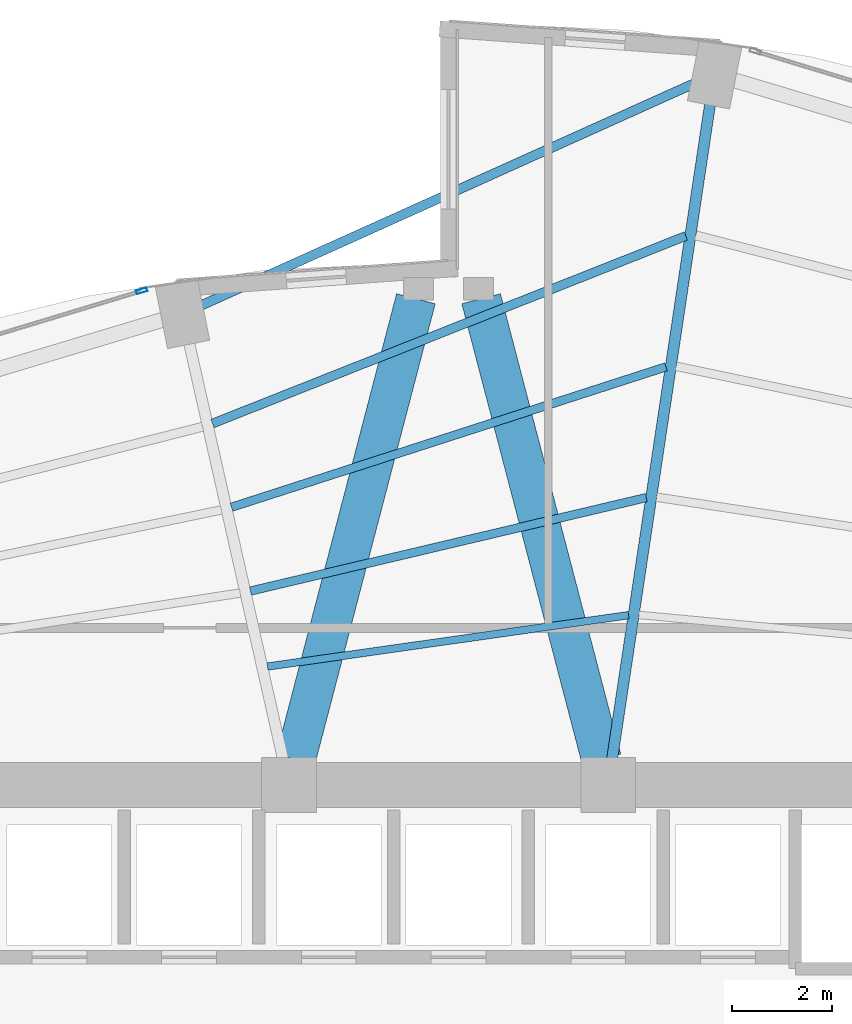
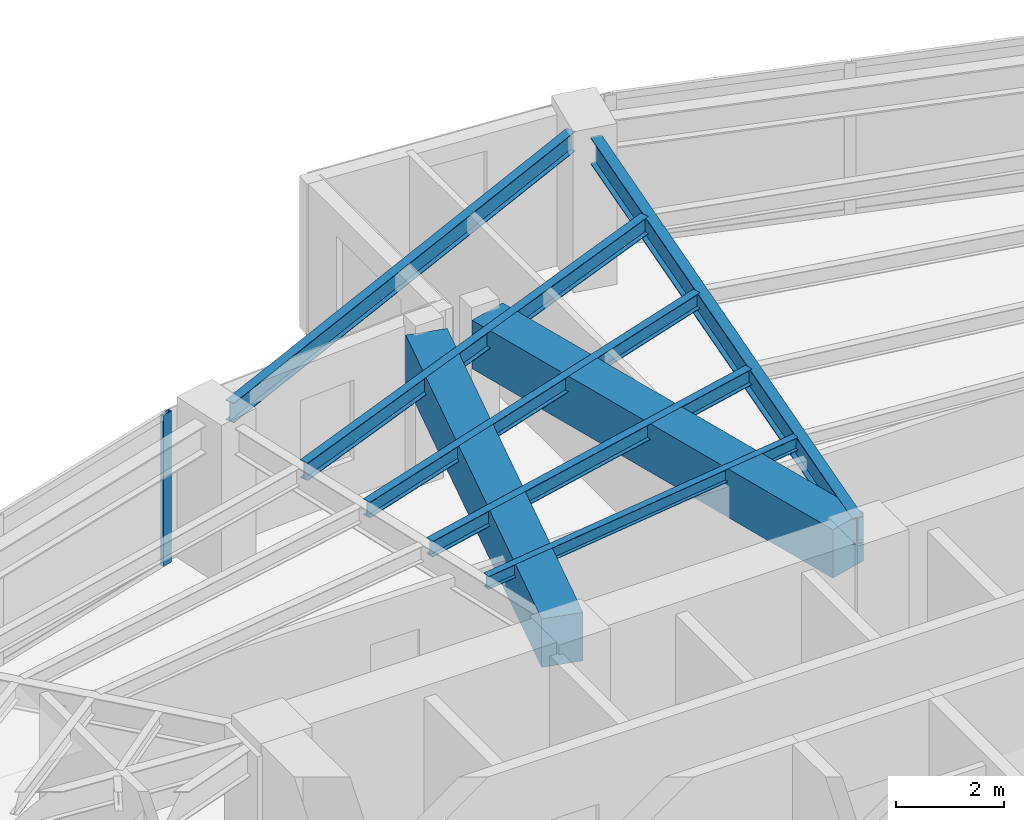
# One storey, part 15 of 24: 8 beams, 1 member, 1 element without a shape of its own.
"""IFC4 building model written with IfcOpenShell, lengths in metres."""

from ifc_helpers import new_model, si_unit, direction, frame, origin, origin_2d, place, context, subcontext, project, spatial, rectangle, hollow_rectangle, i_section, extrude, material, layer, layer_set, material_profile, profile_set, type_object, element, aggregate, save


model = new_model("IFC4")

# Units and contexts
model_context = context("Model", 3, precision=1e-05, world=origin(), true_north=direction((0.0, 1.0)))
body_context = subcontext(model_context, "Body", "Model", "MODEL_VIEW")
ifc_project = project(units=[si_unit("LENGTHUNIT", "METRE"), si_unit("AREAUNIT", "SQUARE_METRE"), si_unit("VOLUMEUNIT", "CUBIC_METRE"), si_unit("PLANEANGLEUNIT", "RADIAN"), si_unit("MASSUNIT", "GRAM", prefix="KILO")], contexts=[model_context])

# Site, building, storey
site_placement = place(None, origin())
site = spatial("IfcSite", under=ifc_project, at=site_placement, CompositionType="ELEMENT")
building_placement = place(site_placement, origin())
building = spatial("IfcBuilding", under=site, at=building_placement, Name="Lazwardi Medical Tower", CompositionType="ELEMENT")
storey_placement = place(building_placement, frame((0.0, 0.0, 58.031982421875)))
storey = spatial("IfcBuildingStorey", under=building, at=storey_placement, Name="L14", CompositionType="ELEMENT", Elevation=58.031982421875)

# Beams
ifc_material_1 = material(Name="Concrete C70/85", Category="concrete")
ifc_material_profile_1 = material_profile(ifc_material_1, rectangle(XDim=0.800048828125, YDim=1.10009765625, at=origin_2d()), Name="RC 800x1100")
ifc_profile_set_1 = profile_set([ifc_material_profile_1], Name="Concrete C70/85")
beam_type_1 = type_object("IfcBeamType", Name="BM-CB-RC1", PredefinedType="LINTEL", material=ifc_profile_set_1)
for number, where, z_axis, x_axis, name in (
    (1, (32.935302734375, 36.11767578125, 2.8779296875), (0.252819877511, 0.967513364009, 0.0), (-0.967513364009, 0.252819877511, 0.0), "Core coupling lintel CB-01 PL1 L14"),
    (2, (39.064697265625, 36.11767578125, 2.8779296875), (-0.252819877511, 0.967513364009, 0.0), (-0.967513364009, -0.252819877511, 0.0), "Core coupling lintel CB-01 PL2 L14"),
):
    element("IfcBeam", number, at=place(storey_placement, frame(where, z_axis=z_axis, x_axis=x_axis)), inside=storey, type_object=beam_type_1, Name=name, PredefinedType="LINTEL", context=body_context, shape_type="SweptSolid", body=[
        extrude(rectangle(XDim=0.800048828125, YDim=1.10009765625, at=origin_2d()), origin(), (0.0, 0.0, 1.0), 9.538818359375),
    ])
ifc_material_2 = material(Name="Steel S355", Category="steel")
ifc_material_profile_2 = material_profile(ifc_material_2, i_section(OverallWidth=0.219970703125, OverallDepth=0.60009765625, WebThickness=0.011962890625, FlangeThickness=0.01904296875, at=origin_2d()), Name="IPE 600")
ifc_profile_set_2 = profile_set([ifc_material_profile_2], Name="Steel S355")
beam_type_2 = type_object("IfcBeamType", Name="BM-RG-W1", PredefinedType="BEAM", material=ifc_profile_set_2)
beam_1_placement = place(storey_placement, frame((41.2451171875, 49.2705078125, 3.1279296875), z_axis=(-0.147944218183, -0.98899570692, 0.0), x_axis=(0.98899570692, -0.147944218183, 0.0)))
element("IfcBeam", 3, at=beam_1_placement, inside=storey, type_object=beam_type_2, Name="Radial girder RG-02 R08 L14", PredefinedType="BEAM", context=body_context, shape_type="SweptSolid", body=[
    extrude(i_section(OverallWidth=0.219970703125, OverallDepth=0.60009765625, WebThickness=0.011962890625, FlangeThickness=0.01904296875, at=origin_2d()), origin(), (0.0, 0.0, 1.0), 13.28759765625),
])
ifc_material_profile_3 = material_profile(ifc_material_2, i_section(OverallWidth=0.179931640625, OverallDepth=0.39990234375, WebThickness=0.008544921875, FlangeThickness=0.013427734375, at=origin_2d()), Name="IPE 400")
ifc_profile_set_3 = profile_set([ifc_material_profile_3], Name="Steel S355")
beam_type_3 = type_object("IfcBeamType", Name="BM-SJ-01", PredefinedType="JOIST", material=ifc_profile_set_3)
beam_2_placement = place(storey_placement, frame((40.754150390625, 46.603515625, 3.22802734375), z_axis=(-0.929663713752, -0.368409255222, 0.0), x_axis=(0.368409255222, -0.929663713752, 0.0)))
element("IfcBeam", 4, at=beam_2_placement, inside=storey, type_object=beam_type_3, Name="Secondary joist SJ-01 R1 B08 L14", PredefinedType="JOIST", context=body_context, shape_type="SweptSolid", body=[
    extrude(i_section(OverallWidth=0.179931640625, OverallDepth=0.39990234375, WebThickness=0.008544921875, FlangeThickness=0.013427734375, at=origin_2d()), origin(), (0.0, 0.0, 1.0), 10.2001953125),
])
ifc_material_profile_4 = material_profile(ifc_material_2, i_section(OverallWidth=0.169921875, OverallDepth=0.360107421875, WebThickness=0.008056640625, FlangeThickness=0.0126953125, at=origin_2d()), Name="IPE 360")
ifc_profile_set_4 = profile_set([ifc_material_profile_4], Name="Steel S355")
beam_type_4 = type_object("IfcBeamType", Name="BM-SJ-02", PredefinedType="JOIST", material=ifc_profile_set_4)
beam_3_placement = place(storey_placement, frame((40.35888671875, 43.981689453125, 3.248046875), z_axis=(-0.951558895485, -0.307466532199, 0.0), x_axis=(0.307466532199, -0.951558895485, 0.0)))
element("IfcBeam", 5, at=beam_3_placement, inside=storey, type_object=beam_type_4, Name="Secondary joist SJ-02 R2 B08 L14", PredefinedType="JOIST", context=body_context, shape_type="SweptSolid", body=[
    extrude(i_section(OverallWidth=0.169921875, OverallDepth=0.360107421875, WebThickness=0.008056640625, FlangeThickness=0.0126953125, at=origin_2d()), origin(), (0.0, 0.0, 1.0), 9.1513671875),
])
beam_4_placement = place(storey_placement, frame((39.96337890625, 41.361572265625, 3.248046875), z_axis=(-0.973240904247, -0.229787167397, 0.0), x_axis=(0.229787167397, -0.973240904247, 0.0)))
element("IfcBeam", 6, at=beam_4_placement, inside=storey, type_object=beam_type_4, Name="Secondary joist SJ-02 R3 B08 L14", PredefinedType="JOIST", context=body_context, shape_type="SweptSolid", body=[
    extrude(i_section(OverallWidth=0.169921875, OverallDepth=0.360107421875, WebThickness=0.008056640625, FlangeThickness=0.0126953125, at=origin_2d()), origin(), (0.0, 0.0, 1.0), 8.151123046875),
])
ifc_material_profile_5 = material_profile(ifc_material_2, i_section(OverallWidth=0.14990234375, OverallDepth=0.300048828125, WebThickness=0.007080078125, FlangeThickness=0.0107421875, at=origin_2d()), Name="IPE 300")
ifc_profile_set_5 = profile_set([ifc_material_profile_5], Name="Steel S355")
beam_type_5 = type_object("IfcBeamType", Name="BM-SJ-03", PredefinedType="JOIST", material=ifc_profile_set_5)
beam_5_placement = place(storey_placement, frame((39.607666015625, 39.00537109375, 3.278076171875), z_axis=(-0.99001552228, -0.140958382672, 0.0), x_axis=(0.140958382672, -0.99001552228, 0.0)))
element("IfcBeam", 7, at=beam_5_placement, inside=storey, type_object=beam_type_5, Name="Secondary joist SJ-03 R4 B08 L14", PredefinedType="JOIST", context=body_context, shape_type="SweptSolid", body=[
    extrude(i_section(OverallWidth=0.14990234375, OverallDepth=0.300048828125, WebThickness=0.007080078125, FlangeThickness=0.0107421875, at=origin_2d()), origin(), (0.0, 0.0, 1.0), 7.30908203125),
])
ifc_material_profile_6 = material_profile(ifc_material_2, i_section(OverallWidth=0.18994140625, OverallDepth=0.449951171875, WebThickness=0.009521484375, FlangeThickness=0.0146484375, at=origin_2d()), Name="IPE 450")
ifc_profile_set_6 = profile_set([ifc_material_profile_6], Name="Steel S355")
beam_type_6 = type_object("IfcBeamType", Name="BM-SP-01", PredefinedType="SPANDREL", material=ifc_profile_set_6)
beam_6_placement = place(storey_placement, frame((40.94775390625, 49.671630859375, 3.203125), z_axis=(-0.91184908894, -0.410525564368, 0.0), x_axis=(0.410525564368, -0.91184908894, 0.0)))
element("IfcBeam", 8, at=beam_6_placement, inside=storey, type_object=beam_type_6, Name="Spandrel beam SP-01 B08 L14", PredefinedType="SPANDREL", context=body_context, shape_type="SweptSolid", body=[
    extrude(i_section(OverallWidth=0.18994140625, OverallDepth=0.449951171875, WebThickness=0.009521484375, FlangeThickness=0.0146484375, at=origin_2d()), origin(), (0.0, 0.0, 1.0), 10.85205078125),
])

# Curtain wall, member
ifc_material_3 = material(Name="Anodised bronze aluminium and solar control glazing", Category="aluminium")
ifc_layer = layer(ifc_material_3, 0.199951171875)
ifc_layer_set = layer_set([ifc_layer], Name="Anodised bronze aluminium and solar control glazing")
curtain_wall_type = type_object("IfcCurtainWallType", Name="CW-SYS-02", PredefinedType="NOTDEFINED", material=ifc_layer_set)
curtain_wall_placement = place(storey_placement, origin())
curtain_wall = element("IfcCurtainWall", 9, at=curtain_wall_placement, inside=storey, type_object=curtain_wall_type, Name="L14 Unitised bronze curtain wall CW-02", PredefinedType="NOTDEFINED")
ifc_material_4 = material(Name="Anodised bronze aluminium", Category="aluminium")
ifc_material_profile_7 = material_profile(ifc_material_4, hollow_rectangle(XDim=0.074951171875, YDim=0.219970703125, WallThickness=0.00390625, at=origin_2d()), Name="ALU-MULLION 220x75x4")
ifc_profile_set_7 = profile_set([ifc_material_profile_7], Name="Anodised bronze aluminium")
member_type = type_object("IfcMemberType", Name="CW-MUL-01", PredefinedType="MULLION", material=ifc_profile_set_7)
member_placement = place(storey_placement, frame((29.85205078125, 45.503662109375, 0.0), z_axis=(0.0, 0.0, 1.0), x_axis=(0.2898956909, -0.957058247129, 0.0)))
member = element("IfcMember", 10, at=member_placement, type_object=member_type, Name="CW-02 mullion 1", PredefinedType="MULLION", context=body_context, shape_type="SweptSolid", body=[
    extrude(hollow_rectangle(XDim=0.074951171875, YDim=0.219970703125, WallThickness=0.00390625, at=origin_2d()), origin(), (0.0, 0.0, 1.0), 3.427978515625),
])
aggregate(curtain_wall, [member])

save(model, "model.ifc")
